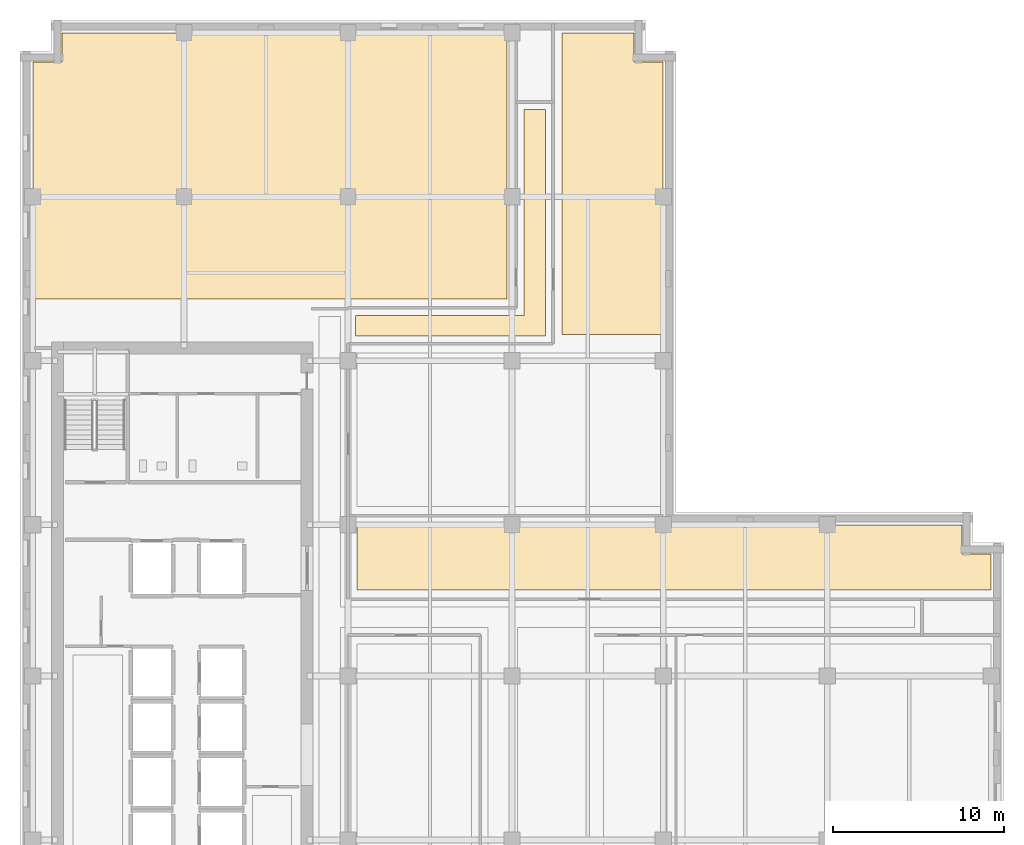
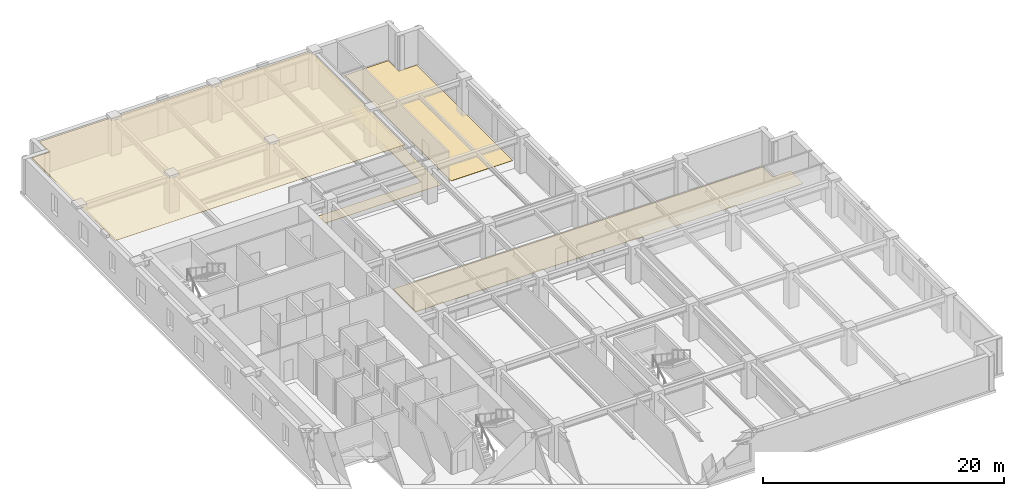
# One storey, part 13 of 14: 4 coverings.
"""IFC4 building model written with IfcOpenShell, lengths in metres."""

from ifc_helpers import new_model, si_unit, direction, frame, origin, place, context, subcontext, project, spatial, polyline, outline, extrude, material, layer, layer_set, type_object, element, save


model = new_model("IFC4")

# Units and contexts
model_context = context("Model", 3, precision=1e-05, world=origin(), true_north=direction((0.0, 1.0)))
body_context = subcontext(model_context, "Body", "Model", "MODEL_VIEW")
ifc_project = project(units=[si_unit("LENGTHUNIT", "METRE"), si_unit("AREAUNIT", "SQUARE_METRE"), si_unit("VOLUMEUNIT", "CUBIC_METRE"), si_unit("PLANEANGLEUNIT", "RADIAN"), si_unit("MASSUNIT", "GRAM", prefix="KILO")], contexts=[model_context])

# Site, building, storey
site_placement = place(None, origin())
site = spatial("IfcSite", under=ifc_project, at=site_placement, CompositionType="ELEMENT")
building_placement = place(site_placement, origin())
building = spatial("IfcBuilding", under=site, at=building_placement, Name="Norrvale University Quadrangle", CompositionType="ELEMENT")
storey_placement = place(building_placement, frame((0.0, 0.0, 156.0)))
storey = spatial("IfcBuildingStorey", under=building, at=storey_placement, Name="L39", CompositionType="ELEMENT", Elevation=156.0)

# Coverings
ifc_material_1 = material(Name="Perforated Acoustic Mineral Ceiling")
ifc_layer_1 = layer(ifc_material_1, 0.02490234375, Name="Perforated Acoustic Mineral Ceiling")
ifc_layer_set_1 = layer_set([ifc_layer_1], Name="Perforated Acoustic Mineral Ceiling")
covering_type_1 = type_object("IfcCoveringType", Name="Covering Acoustic Ceiling 25", PredefinedType="CEILING", material=ifc_layer_set_1)
covering_1_placement = place(storey_placement, frame((0.0, 0.0, 3.514892578125)))
element("IfcCovering", 1, at=covering_1_placement, inside=storey, type_object=covering_type_1, Name="Acoustic Ceiling RM-L39-NW01", PredefinedType="CEILING", context=body_context, shape_type="SweptSolid", body=[
    extrude(outline(polyline([(28.52001953125, 66.449951171875), (28.52001953125, 50.8798828125), (0.75, 50.8798828125), (0.75, 64.72998046875), (2.469970703125, 64.72998046875), (2.469970703125, 66.449951171875), (28.52001953125, 66.449951171875)])), origin(), (0.0, 0.0, 1.0), 0.025146484375),
])
ifc_material_2 = material(Name="Polished Terrazzo Flooring")
ifc_layer_2 = layer(ifc_material_2, 0.02490234375, Name="Polished Terrazzo Flooring")
ifc_layer_set_2 = layer_set([ifc_layer_2], Name="Polished Terrazzo Flooring")
covering_type_2 = type_object("IfcCoveringType", Name="Covering Terrazzo Floor 30", PredefinedType="FLOORING", material=ifc_layer_set_2)
covering_2_placement = place(storey_placement, origin())
element("IfcCovering", 2, at=covering_2_placement, inside=storey, type_object=covering_type_2, Name="Terrazzo Flooring RM-L39-ME01", PredefinedType="FLOORING", context=body_context, shape_type="SweptSolid", body=[
    extrude(outline(polyline([(56.85009765625, 33.830078125), (19.72998046875, 33.830078125), (19.72998046875, 37.64990234375), (55.1298828125, 37.64990234375), (55.1298828125, 35.929931640625), (56.85009765625, 35.929931640625), (56.85009765625, 33.830078125)])), origin(), (0.0, 0.0, 1.0), 0.02490234375),
])
covering_3_placement = place(storey_placement, origin())
element("IfcCovering", 3, at=covering_3_placement, inside=storey, type_object=covering_type_2, Name="Terrazzo Flooring RM-L39-NCJOG", PredefinedType="FLOORING", context=body_context, shape_type="SweptSolid", body=[
    extrude(outline(polyline([(19.64990234375, 48.699951171875), (19.64990234375, 49.89990234375), (29.5, 49.89990234375), (29.5, 61.949951171875), (30.75, 61.949951171875), (30.75, 48.699951171875), (19.64990234375, 48.699951171875)])), origin(), (0.0, 0.0, 1.0), 0.02490234375),
])
covering_4_placement = place(storey_placement, origin())
element("IfcCovering", 4, at=covering_4_placement, inside=storey, type_object=covering_type_2, Name="Terrazzo Flooring RM-L39-NE01", PredefinedType="FLOORING", context=body_context, shape_type="SweptSolid", body=[
    extrude(outline(polyline([(37.64990234375, 48.780029296875), (31.72998046875, 48.780029296875), (31.72998046875, 66.449951171875), (35.929931640625, 66.449951171875), (35.929931640625, 64.72998046875), (37.64990234375, 64.72998046875), (37.64990234375, 48.780029296875)])), origin(), (0.0, 0.0, 1.0), 0.02490234375),
])

save(model, "model.ifc")
